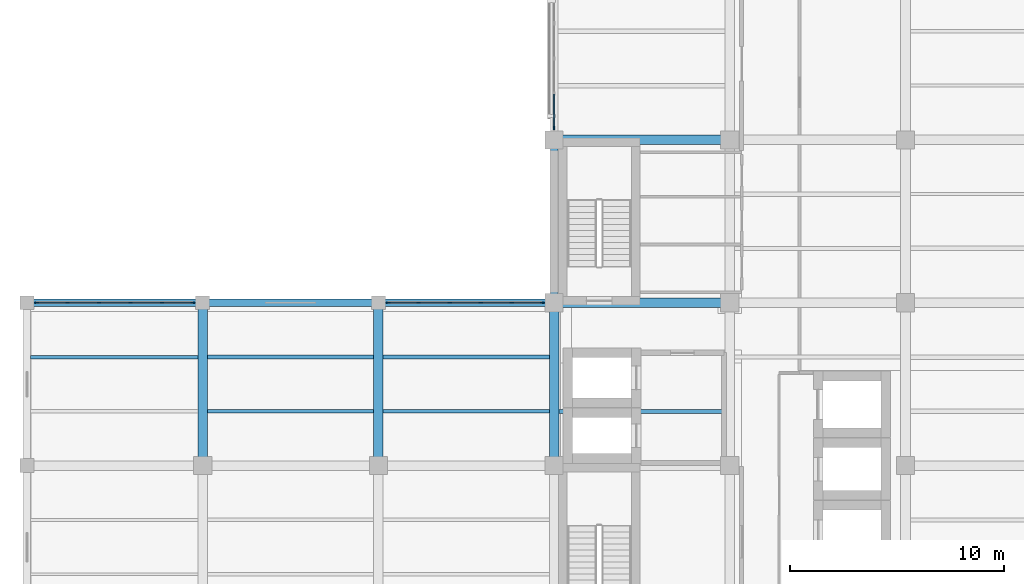
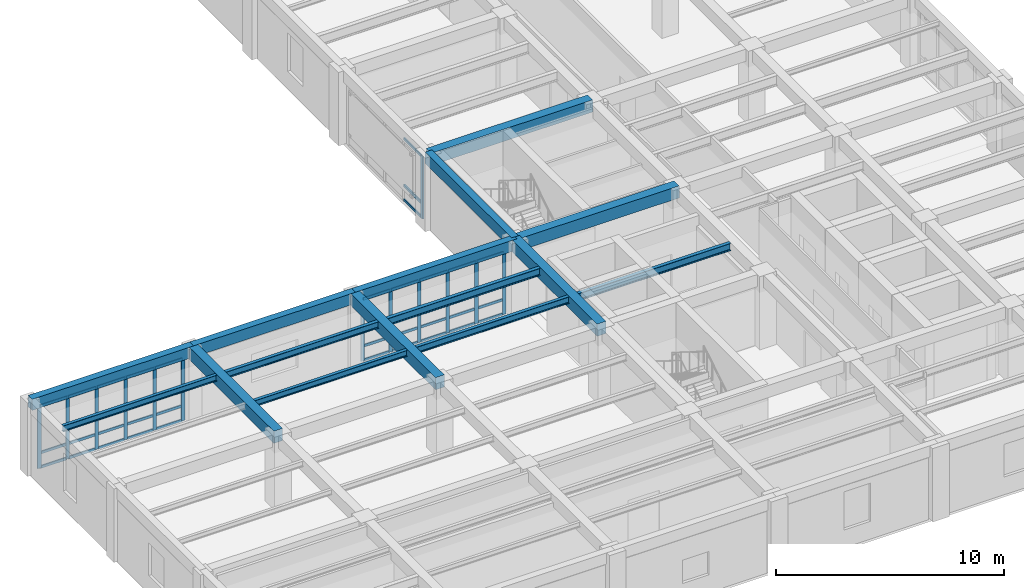
# One storey, part 2 of 17: 46 members, 15 beams, 3 elements without a shape of their own.
"""IFC4 building model written with IfcOpenShell, lengths in metres."""

from ifc_helpers import new_model, si_unit, direction, frame, origin, origin_2d, place, context, subcontext, project, spatial, rectangle, i_section, extrude, material, material_profile, profile_set, type_object, element, aggregate, save


model = new_model("IFC4")

# Units and contexts
model_context = context("Model", 3, precision=1e-05, world=origin(), true_north=direction((0.0, 1.0)))
body_context = subcontext(model_context, "Body", "Model", "MODEL_VIEW")
ifc_project = project(units=[si_unit("LENGTHUNIT", "METRE"), si_unit("AREAUNIT", "SQUARE_METRE"), si_unit("VOLUMEUNIT", "CUBIC_METRE"), si_unit("PLANEANGLEUNIT", "RADIAN"), si_unit("MASSUNIT", "GRAM", prefix="KILO")], contexts=[model_context])

# Site, building, storey
site_placement = place(None, origin())
site = spatial("IfcSite", under=ifc_project, at=site_placement, CompositionType="ELEMENT")
building_placement = place(site_placement, origin())
building = spatial("IfcBuilding", under=site, at=building_placement, Name="Qandaris Square Conservatory and Botanical Centre", CompositionType="ELEMENT")
storey_placement = place(building_placement, frame((0.0, 0.0, 28.199951171875)))
storey = spatial("IfcBuildingStorey", under=building, at=storey_placement, Name="L06", CompositionType="ELEMENT", Elevation=28.199951171875)

# Beams
ifc_material_1 = material(Name="Steel S355", Category="steel")
ifc_material_profile_1 = material_profile(ifc_material_1, i_section(OverallWidth=0.159912109375, OverallDepth=0.330078125, WebThickness=0.007568359375, FlangeThickness=0.011474609375, FilletRadius=0.01806640625, at=origin_2d()), Name="IPE 330")
ifc_profile_set_1 = profile_set([ifc_material_profile_1], Name="Steel S355")
beam_type_1 = type_object("IfcBeamType", Name="Composite Lab Joist IPE 330", PredefinedType="JOIST", material=ifc_profile_set_1)
beam_1_placement = place(storey_placement, frame((114.77490234375, 36.86669921875, 3.76513671875), z_axis=(1.0, 0.0, 0.0), x_axis=(0.0, 1.0, 0.0)))
element("IfcBeam", 1, at=beam_1_placement, inside=storey, type_object=beam_type_1, Name="L06 Composite Joist 2039", PredefinedType="JOIST", context=body_context, shape_type="SweptSolid", body=[
    extrude(i_section(OverallWidth=0.159912109375, OverallDepth=0.330078125, WebThickness=0.007568359375, FlangeThickness=0.011474609375, FilletRadius=0.01806640625, at=origin_2d()), origin(), (0.0, 0.0, 1.0), 7.800048828125),
])
beam_2_placement = place(storey_placement, frame((123.02490234375, 34.333251953125, 3.76513671875), z_axis=(1.0, 0.0, 0.0), x_axis=(0.0, 1.0, 0.0)))
element("IfcBeam", 2, at=beam_2_placement, inside=storey, type_object=beam_type_1, Name="L06 Composite Joist 2044", PredefinedType="JOIST", context=body_context, shape_type="SweptSolid", body=[
    extrude(i_section(OverallWidth=0.159912109375, OverallDepth=0.330078125, WebThickness=0.007568359375, FlangeThickness=0.011474609375, FilletRadius=0.01806640625, at=origin_2d()), origin(), (0.0, 0.0, 1.0), 7.75),
])
ifc_material_profile_2 = material_profile(ifc_material_1, i_section(OverallWidth=0.169921875, OverallDepth=0.360107421875, WebThickness=0.008056640625, FlangeThickness=0.0126953125, FilletRadius=0.01806640625, at=origin_2d()), Name="IPE 360")
ifc_profile_set_2 = profile_set([ifc_material_profile_2], Name="Steel S355")
beam_type_2 = type_object("IfcBeamType", Name="Composite Lab Joist IPE 360", PredefinedType="JOIST", material=ifc_profile_set_2)
for number, where, z_axis, x_axis, name in (
    (3, (123.02490234375, 36.86669921875, 3.75), (1.0, 0.0, 0.0), (0.0, 1.0, 0.0), "L06 Composite Joist 2045"),
    (4, (131.22509765625, 34.333251953125, 3.75), (1.0, 0.0, 0.0), (0.0, 1.0, 0.0), "L06 Composite Joist 2050"),
):
    element("IfcBeam", number, at=place(storey_placement, frame(where, z_axis=z_axis, x_axis=x_axis)), inside=storey, type_object=beam_type_2, Name=name, PredefinedType="JOIST", context=body_context, shape_type="SweptSolid", body=[
        extrude(i_section(OverallWidth=0.169921875, OverallDepth=0.360107421875, WebThickness=0.008056640625, FlangeThickness=0.0126953125, FilletRadius=0.01806640625, at=origin_2d()), origin(), (0.0, 0.0, 1.0), 7.75),
    ])
ifc_material_profile_3 = material_profile(ifc_material_1, i_section(OverallWidth=0.179931640625, OverallDepth=0.39990234375, WebThickness=0.008544921875, FlangeThickness=0.013427734375, FilletRadius=0.02099609375, at=origin_2d()), Name="IPE 400")
ifc_profile_set_3 = profile_set([ifc_material_profile_3], Name="Steel S355")
beam_type_3 = type_object("IfcBeamType", Name="Composite Plinth Joist IPE 400", PredefinedType="JOIST", material=ifc_profile_set_3)
for number, where, z_axis, x_axis, name in (
    (5, (131.22509765625, 36.86669921875, 3.72998046875), (1.0, 0.0, 0.0), (0.0, 1.0, 0.0), "L06 Composite Joist 2051"),
    (6, (139.425048828125, 34.333251953125, 3.72998046875), (1.0, 0.0, 0.0), (0.0, 1.0, 0.0), "L06 Composite Joist 2054"),
):
    element("IfcBeam", number, at=place(storey_placement, frame(where, z_axis=z_axis, x_axis=x_axis)), inside=storey, type_object=beam_type_3, Name=name, PredefinedType="JOIST", context=body_context, shape_type="SweptSolid", body=[
        extrude(i_section(OverallWidth=0.179931640625, OverallDepth=0.39990234375, WebThickness=0.008544921875, FlangeThickness=0.013427734375, FilletRadius=0.02099609375, at=origin_2d()), origin(), (0.0, 0.0, 1.0), 7.75),
    ])

# Curtain wall, member
ifc_material_2 = material(Name="Anodised Aluminium", Category="aluminium")
curtain_wall_type_1 = type_object("IfcCurtainWallType", Name="Unitised Curtain Wall CW-4-655x334", PredefinedType="USERDEFINED", material=ifc_material_2)
curtain_wall_1_placement = place(storey_placement, origin())
curtain_wall_1 = element("IfcCurtainWall", 7, at=curtain_wall_1_placement, inside=storey, type_object=curtain_wall_type_1, Name="Curtain Wall CW-TWR-L06-4-4", ObjectType="GLAZED CURTAIN WALL", PredefinedType="USERDEFINED")
ifc_material_profile_4 = material_profile(ifc_material_2, rectangle(XDim=0.06494140625, YDim=0.179931640625, at=origin_2d()), Name="ALU-MUL 65x180")
ifc_profile_set_4 = profile_set([ifc_material_profile_4], Name="Anodised Aluminium")
member_type_1 = type_object("IfcMemberType", Name="Curtain Wall Mullion 65x180", PredefinedType="MULLION", material=ifc_profile_set_4)
member_1_placement = place(storey_placement, frame((139.199951171875, 47.5576171875, 0.0), z_axis=(0.0, 0.0, 1.0), x_axis=(1.0, 0.0, 0.0)))
member_1 = element("IfcMember", 8, at=member_1_placement, type_object=member_type_1, Name="CW-4-655x334 mullion 5", PredefinedType="MULLION", context=body_context, shape_type="SweptSolid", body=[
    extrude(rectangle(XDim=0.06494140625, YDim=0.179931640625, at=origin_2d()), origin(), (0.0, 0.0, 1.0), 3.340087890625),
])

# Curtain wall, members
curtain_wall_type_2 = type_object("IfcCurtainWallType", Name="Unitised Curtain Wall CW-4-725x334", PredefinedType="USERDEFINED", material=ifc_material_2)
curtain_wall_2_placement = place(storey_placement, origin())
curtain_wall_2 = element("IfcCurtainWall", 9, at=curtain_wall_2_placement, inside=storey, type_object=curtain_wall_type_2, Name="Curtain Wall CW-TWR-L06-5-1", ObjectType="GLAZED CURTAIN WALL", PredefinedType="USERDEFINED")
member_2_placement = place(storey_placement, frame((138.642578125, 39.39990234375, 0.0), z_axis=(0.0, 0.0, 1.0), x_axis=(0.0, -1.0, 0.0)))
member_2 = element("IfcMember", 10, at=member_2_placement, type_object=member_type_1, Name="CW-4-725x334 mullion 1", PredefinedType="MULLION", context=body_context, shape_type="SweptSolid", body=[
    extrude(rectangle(XDim=0.06494140625, YDim=0.179931640625, at=origin_2d()), origin(), (0.0, 0.0, 1.0), 3.340087890625),
])
member_3_placement = place(storey_placement, frame((137.22509765625, 39.39990234375, 0.0), z_axis=(0.0, 0.0, 1.0), x_axis=(0.0, -1.0, 0.0)))
member_3 = element("IfcMember", 11, at=member_3_placement, type_object=member_type_1, Name="CW-4-725x334 mullion 2", PredefinedType="MULLION", context=body_context, shape_type="SweptSolid", body=[
    extrude(rectangle(XDim=0.06494140625, YDim=0.179931640625, at=origin_2d()), origin(), (0.0, 0.0, 1.0), 3.340087890625),
])
member_4_placement = place(storey_placement, frame((135.77490234375, 39.39990234375, 0.0), z_axis=(0.0, 0.0, 1.0), x_axis=(0.0, -1.0, 0.0)))
member_4 = element("IfcMember", 12, at=member_4_placement, type_object=member_type_1, Name="CW-4-725x334 mullion 3", PredefinedType="MULLION", context=body_context, shape_type="SweptSolid", body=[
    extrude(rectangle(XDim=0.06494140625, YDim=0.179931640625, at=origin_2d()), origin(), (0.0, 0.0, 1.0), 3.340087890625),
])
member_5_placement = place(storey_placement, frame((134.324951171875, 39.39990234375, 0.0), z_axis=(0.0, 0.0, 1.0), x_axis=(0.0, -1.0, 0.0)))
member_5 = element("IfcMember", 13, at=member_5_placement, type_object=member_type_1, Name="CW-4-725x334 mullion 4", PredefinedType="MULLION", context=body_context, shape_type="SweptSolid", body=[
    extrude(rectangle(XDim=0.06494140625, YDim=0.179931640625, at=origin_2d()), origin(), (0.0, 0.0, 1.0), 3.340087890625),
])
member_6_placement = place(storey_placement, frame((132.875, 39.39990234375, 0.0), z_axis=(0.0, 0.0, 1.0), x_axis=(0.0, -1.0, 0.0)))
member_6 = element("IfcMember", 14, at=member_6_placement, type_object=member_type_1, Name="CW-4-725x334 mullion 5", PredefinedType="MULLION", context=body_context, shape_type="SweptSolid", body=[
    extrude(rectangle(XDim=0.06494140625, YDim=0.179931640625, at=origin_2d()), origin(), (0.0, 0.0, 1.0), 3.340087890625),
])
member_7_placement = place(storey_placement, frame((131.45751953125, 39.39990234375, 0.0), z_axis=(0.0, 0.0, 1.0), x_axis=(0.0, -1.0, 0.0)))
member_7 = element("IfcMember", 15, at=member_7_placement, type_object=member_type_1, Name="CW-4-725x334 mullion 6", PredefinedType="MULLION", context=body_context, shape_type="SweptSolid", body=[
    extrude(rectangle(XDim=0.06494140625, YDim=0.179931640625, at=origin_2d()), origin(), (0.0, 0.0, 1.0), 3.340087890625),
])

curtain_wall_type_3 = type_object("IfcCurtainWallType", Name="Unitised Curtain Wall CW-4-735x334", PredefinedType="USERDEFINED", material=ifc_material_2)
curtain_wall_3_placement = place(storey_placement, origin())
curtain_wall_3 = element("IfcCurtainWall", 16, at=curtain_wall_3_placement, inside=storey, type_object=curtain_wall_type_3, Name="Curtain Wall CW-TWR-L06-5-3", ObjectType="GLAZED CURTAIN WALL", PredefinedType="USERDEFINED")
member_8_placement = place(storey_placement, frame((122.342529296875, 39.39990234375, 0.0), z_axis=(0.0, 0.0, 1.0), x_axis=(0.0, -1.0, 0.0)))
member_8 = element("IfcMember", 17, at=member_8_placement, type_object=member_type_1, Name="CW-4-735x334 mullion 1", PredefinedType="MULLION", context=body_context, shape_type="SweptSolid", body=[
    extrude(rectangle(XDim=0.06494140625, YDim=0.179931640625, at=origin_2d()), origin(), (0.0, 0.0, 1.0), 3.340087890625),
])
member_9_placement = place(storey_placement, frame((120.905029296875, 39.39990234375, 0.0), z_axis=(0.0, 0.0, 1.0), x_axis=(0.0, -1.0, 0.0)))
member_9 = element("IfcMember", 18, at=member_9_placement, type_object=member_type_1, Name="CW-4-735x334 mullion 2", PredefinedType="MULLION", context=body_context, shape_type="SweptSolid", body=[
    extrude(rectangle(XDim=0.06494140625, YDim=0.179931640625, at=origin_2d()), origin(), (0.0, 0.0, 1.0), 3.340087890625),
])
member_10_placement = place(storey_placement, frame((119.43505859375, 39.39990234375, 0.0), z_axis=(0.0, 0.0, 1.0), x_axis=(0.0, -1.0, 0.0)))
member_10 = element("IfcMember", 19, at=member_10_placement, type_object=member_type_1, Name="CW-4-735x334 mullion 3", PredefinedType="MULLION", context=body_context, shape_type="SweptSolid", body=[
    extrude(rectangle(XDim=0.06494140625, YDim=0.179931640625, at=origin_2d()), origin(), (0.0, 0.0, 1.0), 3.340087890625),
])
member_11_placement = place(storey_placement, frame((117.965087890625, 39.39990234375, 0.0), z_axis=(0.0, 0.0, 1.0), x_axis=(0.0, -1.0, 0.0)))
member_11 = element("IfcMember", 20, at=member_11_placement, type_object=member_type_1, Name="CW-4-735x334 mullion 4", PredefinedType="MULLION", context=body_context, shape_type="SweptSolid", body=[
    extrude(rectangle(XDim=0.06494140625, YDim=0.179931640625, at=origin_2d()), origin(), (0.0, 0.0, 1.0), 3.340087890625),
])
member_12_placement = place(storey_placement, frame((116.4951171875, 39.39990234375, 0.0), z_axis=(0.0, 0.0, 1.0), x_axis=(0.0, -1.0, 0.0)))
member_12 = element("IfcMember", 21, at=member_12_placement, type_object=member_type_1, Name="CW-4-735x334 mullion 5", PredefinedType="MULLION", context=body_context, shape_type="SweptSolid", body=[
    extrude(rectangle(XDim=0.06494140625, YDim=0.179931640625, at=origin_2d()), origin(), (0.0, 0.0, 1.0), 3.340087890625),
])
member_13_placement = place(storey_placement, frame((115.0576171875, 39.39990234375, 0.0), z_axis=(0.0, 0.0, 1.0), x_axis=(0.0, -1.0, 0.0)))
member_13 = element("IfcMember", 22, at=member_13_placement, type_object=member_type_1, Name="CW-4-735x334 mullion 6", PredefinedType="MULLION", context=body_context, shape_type="SweptSolid", body=[
    extrude(rectangle(XDim=0.06494140625, YDim=0.179931640625, at=origin_2d()), origin(), (0.0, 0.0, 1.0), 3.340087890625),
])

# Member
ifc_material_profile_5 = material_profile(ifc_material_2, rectangle(XDim=0.06494140625, YDim=0.139892578125, at=origin_2d()), Name="ALU-TRN 65x140")
ifc_profile_set_5 = profile_set([ifc_material_profile_5], Name="Anodised Aluminium")
member_type_2 = type_object("IfcMemberType", Name="Curtain Wall Transom 65x140", PredefinedType="USERDEFINED", material=ifc_profile_set_5)
member_14_placement = place(storey_placement, frame((139.199951171875, 49.1298828125, 0.032470703125), z_axis=(0.0, -1.0, 0.0), x_axis=(1.0, 0.0, 0.0)))
member_14 = element("IfcMember", 23, at=member_14_placement, type_object=member_type_2, Name="CW-4-655x334 transom 4.1", ObjectType="TRANSOM", PredefinedType="USERDEFINED", context=body_context, shape_type="SweptSolid", body=[
    extrude(rectangle(XDim=0.06494140625, YDim=0.139892578125, at=origin_2d()), origin(), (0.0, 0.0, 1.0), 1.539794921875),
])

member_15_placement = place(storey_placement, frame((139.199951171875, 49.1298828125, 0.8017578125), z_axis=(0.0, -1.0, 0.0), x_axis=(1.0, 0.0, 0.0)))
member_15 = element("IfcMember", 24, at=member_15_placement, type_object=member_type_2, Name="CW-4-655x334 transom 4.2", ObjectType="TRANSOM", PredefinedType="USERDEFINED", context=body_context, shape_type="SweptSolid", body=[
    extrude(rectangle(XDim=0.06494140625, YDim=0.139892578125, at=origin_2d()), origin(), (0.0, 0.0, 1.0), 1.539794921875),
])

member_16_placement = place(storey_placement, frame((139.199951171875, 49.1298828125, 3.3076171875), z_axis=(0.0, -1.0, 0.0), x_axis=(1.0, 0.0, 0.0)))
member_16 = element("IfcMember", 25, at=member_16_placement, type_object=member_type_2, Name="CW-4-655x334 transom 4.3", ObjectType="TRANSOM", PredefinedType="USERDEFINED", context=body_context, shape_type="SweptSolid", body=[
    extrude(rectangle(XDim=0.06494140625, YDim=0.139892578125, at=origin_2d()), origin(), (0.0, 0.0, 1.0), 1.539794921875),
])

aggregate(curtain_wall_1, [member_1, member_14, member_15, member_16])

member_17_placement = place(storey_placement, frame((138.610107421875, 39.39990234375, 0.032470703125), z_axis=(-1.0, 0.0, 0.0), x_axis=(0.0, -1.0, 0.0)))
member_17 = element("IfcMember", 26, at=member_17_placement, type_object=member_type_2, Name="CW-4-725x334 transom 1.1", ObjectType="TRANSOM", PredefinedType="USERDEFINED", context=body_context, shape_type="SweptSolid", body=[
    extrude(rectangle(XDim=0.06494140625, YDim=0.139892578125, at=origin_2d()), origin(), (0.0, 0.0, 1.0), 1.3525390625),
])

member_18_placement = place(storey_placement, frame((138.610107421875, 39.39990234375, 0.8017578125), z_axis=(-1.0, 0.0, 0.0), x_axis=(0.0, -1.0, 0.0)))
member_18 = element("IfcMember", 27, at=member_18_placement, type_object=member_type_2, Name="CW-4-725x334 transom 1.2", ObjectType="TRANSOM", PredefinedType="USERDEFINED", context=body_context, shape_type="SweptSolid", body=[
    extrude(rectangle(XDim=0.06494140625, YDim=0.139892578125, at=origin_2d()), origin(), (0.0, 0.0, 1.0), 1.3525390625),
])

member_19_placement = place(storey_placement, frame((138.610107421875, 39.39990234375, 3.3076171875), z_axis=(-1.0, 0.0, 0.0), x_axis=(0.0, -1.0, 0.0)))
member_19 = element("IfcMember", 28, at=member_19_placement, type_object=member_type_2, Name="CW-4-725x334 transom 1.3", ObjectType="TRANSOM", PredefinedType="USERDEFINED", context=body_context, shape_type="SweptSolid", body=[
    extrude(rectangle(XDim=0.06494140625, YDim=0.139892578125, at=origin_2d()), origin(), (0.0, 0.0, 1.0), 1.3525390625),
])

member_20_placement = place(storey_placement, frame((137.1923828125, 39.39990234375, 0.032470703125), z_axis=(-1.0, 0.0, 0.0), x_axis=(0.0, -1.0, 0.0)))
member_20 = element("IfcMember", 29, at=member_20_placement, type_object=member_type_2, Name="CW-4-725x334 transom 2.1", ObjectType="TRANSOM", PredefinedType="USERDEFINED", context=body_context, shape_type="SweptSolid", body=[
    extrude(rectangle(XDim=0.06494140625, YDim=0.139892578125, at=origin_2d()), origin(), (0.0, 0.0, 1.0), 1.384765625),
])

member_21_placement = place(storey_placement, frame((137.1923828125, 39.39990234375, 0.8017578125), z_axis=(-1.0, 0.0, 0.0), x_axis=(0.0, -1.0, 0.0)))
member_21 = element("IfcMember", 30, at=member_21_placement, type_object=member_type_2, Name="CW-4-725x334 transom 2.2", ObjectType="TRANSOM", PredefinedType="USERDEFINED", context=body_context, shape_type="SweptSolid", body=[
    extrude(rectangle(XDim=0.06494140625, YDim=0.139892578125, at=origin_2d()), origin(), (0.0, 0.0, 1.0), 1.384765625),
])

member_22_placement = place(storey_placement, frame((137.1923828125, 39.39990234375, 3.3076171875), z_axis=(-1.0, 0.0, 0.0), x_axis=(0.0, -1.0, 0.0)))
member_22 = element("IfcMember", 31, at=member_22_placement, type_object=member_type_2, Name="CW-4-725x334 transom 2.3", ObjectType="TRANSOM", PredefinedType="USERDEFINED", context=body_context, shape_type="SweptSolid", body=[
    extrude(rectangle(XDim=0.06494140625, YDim=0.139892578125, at=origin_2d()), origin(), (0.0, 0.0, 1.0), 1.384765625),
])

member_23_placement = place(storey_placement, frame((135.742431640625, 39.39990234375, 0.032470703125), z_axis=(-1.0, 0.0, 0.0), x_axis=(0.0, -1.0, 0.0)))
member_23 = element("IfcMember", 32, at=member_23_placement, type_object=member_type_2, Name="CW-4-725x334 transom 3.1", ObjectType="TRANSOM", PredefinedType="USERDEFINED", context=body_context, shape_type="SweptSolid", body=[
    extrude(rectangle(XDim=0.06494140625, YDim=0.139892578125, at=origin_2d()), origin(), (0.0, 0.0, 1.0), 1.385009765625),
])

member_24_placement = place(storey_placement, frame((135.742431640625, 39.39990234375, 0.8017578125), z_axis=(-1.0, 0.0, 0.0), x_axis=(0.0, -1.0, 0.0)))
member_24 = element("IfcMember", 33, at=member_24_placement, type_object=member_type_2, Name="CW-4-725x334 transom 3.2", ObjectType="TRANSOM", PredefinedType="USERDEFINED", context=body_context, shape_type="SweptSolid", body=[
    extrude(rectangle(XDim=0.06494140625, YDim=0.139892578125, at=origin_2d()), origin(), (0.0, 0.0, 1.0), 1.385009765625),
])

member_25_placement = place(storey_placement, frame((135.742431640625, 39.39990234375, 3.3076171875), z_axis=(-1.0, 0.0, 0.0), x_axis=(0.0, -1.0, 0.0)))
member_25 = element("IfcMember", 34, at=member_25_placement, type_object=member_type_2, Name="CW-4-725x334 transom 3.3", ObjectType="TRANSOM", PredefinedType="USERDEFINED", context=body_context, shape_type="SweptSolid", body=[
    extrude(rectangle(XDim=0.06494140625, YDim=0.139892578125, at=origin_2d()), origin(), (0.0, 0.0, 1.0), 1.385009765625),
])

member_26_placement = place(storey_placement, frame((134.29248046875, 39.39990234375, 0.032470703125), z_axis=(-1.0, 0.0, 0.0), x_axis=(0.0, -1.0, 0.0)))
member_26 = element("IfcMember", 35, at=member_26_placement, type_object=member_type_2, Name="CW-4-725x334 transom 4.1", ObjectType="TRANSOM", PredefinedType="USERDEFINED", context=body_context, shape_type="SweptSolid", body=[
    extrude(rectangle(XDim=0.06494140625, YDim=0.139892578125, at=origin_2d()), origin(), (0.0, 0.0, 1.0), 1.385009765625),
])

member_27_placement = place(storey_placement, frame((134.29248046875, 39.39990234375, 0.8017578125), z_axis=(-1.0, 0.0, 0.0), x_axis=(0.0, -1.0, 0.0)))
member_27 = element("IfcMember", 36, at=member_27_placement, type_object=member_type_2, Name="CW-4-725x334 transom 4.2", ObjectType="TRANSOM", PredefinedType="USERDEFINED", context=body_context, shape_type="SweptSolid", body=[
    extrude(rectangle(XDim=0.06494140625, YDim=0.139892578125, at=origin_2d()), origin(), (0.0, 0.0, 1.0), 1.385009765625),
])

member_28_placement = place(storey_placement, frame((134.29248046875, 39.39990234375, 3.3076171875), z_axis=(-1.0, 0.0, 0.0), x_axis=(0.0, -1.0, 0.0)))
member_28 = element("IfcMember", 37, at=member_28_placement, type_object=member_type_2, Name="CW-4-725x334 transom 4.3", ObjectType="TRANSOM", PredefinedType="USERDEFINED", context=body_context, shape_type="SweptSolid", body=[
    extrude(rectangle(XDim=0.06494140625, YDim=0.139892578125, at=origin_2d()), origin(), (0.0, 0.0, 1.0), 1.385009765625),
])

member_29_placement = place(storey_placement, frame((132.842529296875, 39.39990234375, 0.032470703125), z_axis=(-1.0, 0.0, 0.0), x_axis=(0.0, -1.0, 0.0)))
member_29 = element("IfcMember", 38, at=member_29_placement, type_object=member_type_2, Name="CW-4-725x334 transom 5.1", ObjectType="TRANSOM", PredefinedType="USERDEFINED", context=body_context, shape_type="SweptSolid", body=[
    extrude(rectangle(XDim=0.06494140625, YDim=0.139892578125, at=origin_2d()), origin(), (0.0, 0.0, 1.0), 1.3525390625),
])

member_30_placement = place(storey_placement, frame((132.842529296875, 39.39990234375, 0.8017578125), z_axis=(-1.0, 0.0, 0.0), x_axis=(0.0, -1.0, 0.0)))
member_30 = element("IfcMember", 39, at=member_30_placement, type_object=member_type_2, Name="CW-4-725x334 transom 5.2", ObjectType="TRANSOM", PredefinedType="USERDEFINED", context=body_context, shape_type="SweptSolid", body=[
    extrude(rectangle(XDim=0.06494140625, YDim=0.139892578125, at=origin_2d()), origin(), (0.0, 0.0, 1.0), 1.3525390625),
])

member_31_placement = place(storey_placement, frame((132.842529296875, 39.39990234375, 3.3076171875), z_axis=(-1.0, 0.0, 0.0), x_axis=(0.0, -1.0, 0.0)))
member_31 = element("IfcMember", 40, at=member_31_placement, type_object=member_type_2, Name="CW-4-725x334 transom 5.3", ObjectType="TRANSOM", PredefinedType="USERDEFINED", context=body_context, shape_type="SweptSolid", body=[
    extrude(rectangle(XDim=0.06494140625, YDim=0.139892578125, at=origin_2d()), origin(), (0.0, 0.0, 1.0), 1.3525390625),
])

aggregate(curtain_wall_2, [member_2, member_3, member_4, member_5, member_6, member_7, member_17, member_18, member_19, member_20, member_21, member_22, member_23, member_24, member_25, member_26, member_27, member_28, member_29, member_30, member_31])

member_32_placement = place(storey_placement, frame((122.31005859375, 39.39990234375, 0.032470703125), z_axis=(-1.0, 0.0, 0.0), x_axis=(0.0, -1.0, 0.0)))
member_32 = element("IfcMember", 41, at=member_32_placement, type_object=member_type_2, Name="CW-4-735x334 transom 1.1", ObjectType="TRANSOM", PredefinedType="USERDEFINED", context=body_context, shape_type="SweptSolid", body=[
    extrude(rectangle(XDim=0.06494140625, YDim=0.139892578125, at=origin_2d()), origin(), (0.0, 0.0, 1.0), 1.37255859375),
])

member_33_placement = place(storey_placement, frame((122.31005859375, 39.39990234375, 0.8017578125), z_axis=(-1.0, 0.0, 0.0), x_axis=(0.0, -1.0, 0.0)))
member_33 = element("IfcMember", 42, at=member_33_placement, type_object=member_type_2, Name="CW-4-735x334 transom 1.2", ObjectType="TRANSOM", PredefinedType="USERDEFINED", context=body_context, shape_type="SweptSolid", body=[
    extrude(rectangle(XDim=0.06494140625, YDim=0.139892578125, at=origin_2d()), origin(), (0.0, 0.0, 1.0), 1.37255859375),
])

member_34_placement = place(storey_placement, frame((122.31005859375, 39.39990234375, 3.3076171875), z_axis=(-1.0, 0.0, 0.0), x_axis=(0.0, -1.0, 0.0)))
member_34 = element("IfcMember", 43, at=member_34_placement, type_object=member_type_2, Name="CW-4-735x334 transom 1.3", ObjectType="TRANSOM", PredefinedType="USERDEFINED", context=body_context, shape_type="SweptSolid", body=[
    extrude(rectangle(XDim=0.06494140625, YDim=0.139892578125, at=origin_2d()), origin(), (0.0, 0.0, 1.0), 1.37255859375),
])

member_35_placement = place(storey_placement, frame((120.87255859375, 39.39990234375, 0.032470703125), z_axis=(-1.0, 0.0, 0.0), x_axis=(0.0, -1.0, 0.0)))
member_35 = element("IfcMember", 44, at=member_35_placement, type_object=member_type_2, Name="CW-4-735x334 transom 2.1", ObjectType="TRANSOM", PredefinedType="USERDEFINED", context=body_context, shape_type="SweptSolid", body=[
    extrude(rectangle(XDim=0.06494140625, YDim=0.139892578125, at=origin_2d()), origin(), (0.0, 0.0, 1.0), 1.405029296875),
])

member_36_placement = place(storey_placement, frame((120.87255859375, 39.39990234375, 0.8017578125), z_axis=(-1.0, 0.0, 0.0), x_axis=(0.0, -1.0, 0.0)))
member_36 = element("IfcMember", 45, at=member_36_placement, type_object=member_type_2, Name="CW-4-735x334 transom 2.2", ObjectType="TRANSOM", PredefinedType="USERDEFINED", context=body_context, shape_type="SweptSolid", body=[
    extrude(rectangle(XDim=0.06494140625, YDim=0.139892578125, at=origin_2d()), origin(), (0.0, 0.0, 1.0), 1.405029296875),
])

member_37_placement = place(storey_placement, frame((120.87255859375, 39.39990234375, 3.3076171875), z_axis=(-1.0, 0.0, 0.0), x_axis=(0.0, -1.0, 0.0)))
member_37 = element("IfcMember", 46, at=member_37_placement, type_object=member_type_2, Name="CW-4-735x334 transom 2.3", ObjectType="TRANSOM", PredefinedType="USERDEFINED", context=body_context, shape_type="SweptSolid", body=[
    extrude(rectangle(XDim=0.06494140625, YDim=0.139892578125, at=origin_2d()), origin(), (0.0, 0.0, 1.0), 1.405029296875),
])

member_38_placement = place(storey_placement, frame((119.402587890625, 39.39990234375, 0.032470703125), z_axis=(-1.0, 0.0, 0.0), x_axis=(0.0, -1.0, 0.0)))
member_38 = element("IfcMember", 47, at=member_38_placement, type_object=member_type_2, Name="CW-4-735x334 transom 3.1", ObjectType="TRANSOM", PredefinedType="USERDEFINED", context=body_context, shape_type="SweptSolid", body=[
    extrude(rectangle(XDim=0.06494140625, YDim=0.139892578125, at=origin_2d()), origin(), (0.0, 0.0, 1.0), 1.405029296875),
])

member_39_placement = place(storey_placement, frame((119.402587890625, 39.39990234375, 0.8017578125), z_axis=(-1.0, 0.0, 0.0), x_axis=(0.0, -1.0, 0.0)))
member_39 = element("IfcMember", 48, at=member_39_placement, type_object=member_type_2, Name="CW-4-735x334 transom 3.2", ObjectType="TRANSOM", PredefinedType="USERDEFINED", context=body_context, shape_type="SweptSolid", body=[
    extrude(rectangle(XDim=0.06494140625, YDim=0.139892578125, at=origin_2d()), origin(), (0.0, 0.0, 1.0), 1.405029296875),
])

member_40_placement = place(storey_placement, frame((119.402587890625, 39.39990234375, 3.3076171875), z_axis=(-1.0, 0.0, 0.0), x_axis=(0.0, -1.0, 0.0)))
member_40 = element("IfcMember", 49, at=member_40_placement, type_object=member_type_2, Name="CW-4-735x334 transom 3.3", ObjectType="TRANSOM", PredefinedType="USERDEFINED", context=body_context, shape_type="SweptSolid", body=[
    extrude(rectangle(XDim=0.06494140625, YDim=0.139892578125, at=origin_2d()), origin(), (0.0, 0.0, 1.0), 1.405029296875),
])

member_41_placement = place(storey_placement, frame((117.9326171875, 39.39990234375, 0.032470703125), z_axis=(-1.0, 0.0, 0.0), x_axis=(0.0, -1.0, 0.0)))
member_41 = element("IfcMember", 50, at=member_41_placement, type_object=member_type_2, Name="CW-4-735x334 transom 4.1", ObjectType="TRANSOM", PredefinedType="USERDEFINED", context=body_context, shape_type="SweptSolid", body=[
    extrude(rectangle(XDim=0.06494140625, YDim=0.139892578125, at=origin_2d()), origin(), (0.0, 0.0, 1.0), 1.405029296875),
])

member_42_placement = place(storey_placement, frame((117.9326171875, 39.39990234375, 0.8017578125), z_axis=(-1.0, 0.0, 0.0), x_axis=(0.0, -1.0, 0.0)))
member_42 = element("IfcMember", 51, at=member_42_placement, type_object=member_type_2, Name="CW-4-735x334 transom 4.2", ObjectType="TRANSOM", PredefinedType="USERDEFINED", context=body_context, shape_type="SweptSolid", body=[
    extrude(rectangle(XDim=0.06494140625, YDim=0.139892578125, at=origin_2d()), origin(), (0.0, 0.0, 1.0), 1.405029296875),
])

member_43_placement = place(storey_placement, frame((117.9326171875, 39.39990234375, 3.3076171875), z_axis=(-1.0, 0.0, 0.0), x_axis=(0.0, -1.0, 0.0)))
member_43 = element("IfcMember", 52, at=member_43_placement, type_object=member_type_2, Name="CW-4-735x334 transom 4.3", ObjectType="TRANSOM", PredefinedType="USERDEFINED", context=body_context, shape_type="SweptSolid", body=[
    extrude(rectangle(XDim=0.06494140625, YDim=0.139892578125, at=origin_2d()), origin(), (0.0, 0.0, 1.0), 1.405029296875),
])

member_44_placement = place(storey_placement, frame((116.46240234375, 39.39990234375, 0.032470703125), z_axis=(-1.0, 0.0, 0.0), x_axis=(0.0, -1.0, 0.0)))
member_44 = element("IfcMember", 53, at=member_44_placement, type_object=member_type_2, Name="CW-4-735x334 transom 5.1", ObjectType="TRANSOM", PredefinedType="USERDEFINED", context=body_context, shape_type="SweptSolid", body=[
    extrude(rectangle(XDim=0.06494140625, YDim=0.139892578125, at=origin_2d()), origin(), (0.0, 0.0, 1.0), 1.372314453125),
])

member_45_placement = place(storey_placement, frame((116.46240234375, 39.39990234375, 0.8017578125), z_axis=(-1.0, 0.0, 0.0), x_axis=(0.0, -1.0, 0.0)))
member_45 = element("IfcMember", 54, at=member_45_placement, type_object=member_type_2, Name="CW-4-735x334 transom 5.2", ObjectType="TRANSOM", PredefinedType="USERDEFINED", context=body_context, shape_type="SweptSolid", body=[
    extrude(rectangle(XDim=0.06494140625, YDim=0.139892578125, at=origin_2d()), origin(), (0.0, 0.0, 1.0), 1.372314453125),
])

member_46_placement = place(storey_placement, frame((116.46240234375, 39.39990234375, 3.3076171875), z_axis=(-1.0, 0.0, 0.0), x_axis=(0.0, -1.0, 0.0)))
member_46 = element("IfcMember", 55, at=member_46_placement, type_object=member_type_2, Name="CW-4-735x334 transom 5.3", ObjectType="TRANSOM", PredefinedType="USERDEFINED", context=body_context, shape_type="SweptSolid", body=[
    extrude(rectangle(XDim=0.06494140625, YDim=0.139892578125, at=origin_2d()), origin(), (0.0, 0.0, 1.0), 1.372314453125),
])

aggregate(curtain_wall_3, [member_8, member_9, member_10, member_11, member_12, member_13, member_32, member_33, member_34, member_35, member_36, member_37, member_38, member_39, member_40, member_41, member_42, member_43, member_44, member_45, member_46])

# Beams
ifc_material_3 = material(Name="Concrete C50/60", Category="concrete")
ifc_material_profile_6 = material_profile(ifc_material_3, rectangle(XDim=0.35009765625, YDim=0.60009765625, at=origin_2d()), Name="RC-SP 350x600")
ifc_profile_set_6 = profile_set([ifc_material_profile_6], Name="Concrete C50/60")
beam_type_4 = type_object("IfcBeamType", Name="RC Edge Spandrel Beam 350x600", PredefinedType="SPANDREL", material=ifc_profile_set_6)
for number, where, z_axis, x_axis, name in (
    (56, (114.60009765625, 39.39990234375, 3.64013671875), (1.0, 0.0, 0.0), (0.0, 1.0, 0.0), "L06 Frame Beam 1974"),
    (57, (122.800048828125, 39.39990234375, 3.64013671875), (1.0, 0.0, 0.0), (0.0, 1.0, 0.0), "L06 Frame Beam 1975"),
    (58, (131.0, 39.39990234375, 3.64013671875), (1.0, 0.0, 0.0), (0.0, 1.0, 0.0), "L06 Frame Beam 1976"),
):
    element("IfcBeam", number, at=place(storey_placement, frame(where, z_axis=z_axis, x_axis=x_axis)), inside=storey, type_object=beam_type_4, Name=name, PredefinedType="SPANDREL", context=body_context, shape_type="SweptSolid", body=[
        extrude(rectangle(XDim=0.35009765625, YDim=0.60009765625, at=origin_2d()), origin(), (0.0, 0.0, 1.0), 8.199951171875),
    ])
beam_3_placement = place(storey_placement, frame((139.199951171875, 39.39990234375, 3.64013671875), z_axis=(0.0, 1.0, 0.0), x_axis=(-1.0, 0.0, 0.0)))
element("IfcBeam", 59, at=beam_3_placement, inside=storey, type_object=beam_type_4, Name="L06 Frame Beam 2005", PredefinedType="SPANDREL", context=body_context, shape_type="SweptSolid", body=[
    extrude(rectangle(XDim=0.35009765625, YDim=0.60009765625, at=origin_2d()), origin(), (0.0, 0.0, 1.0), 7.60009765625),
])
ifc_material_profile_7 = material_profile(ifc_material_3, rectangle(XDim=0.449951171875, YDim=0.64990234375, at=origin_2d()), Name="RC-BM 450x650")
ifc_profile_set_7 = profile_set([ifc_material_profile_7], Name="Concrete C50/60")
beam_type_5 = type_object("IfcBeamType", Name="RC Floor Girder 450x650", PredefinedType="BEAM", material=ifc_profile_set_7)
for number, where, z_axis, x_axis, name in (
    (60, (139.199951171875, 39.39990234375, 3.614990234375), (1.0, 0.0, 0.0), (0.0, 1.0, 0.0), "L06 Frame Beam 1977"),
    (61, (139.199951171875, 47.0, 3.614990234375), (1.0, 0.0, 0.0), (0.0, 1.0, 0.0), "L06 Frame Beam 1980"),
):
    element("IfcBeam", number, at=place(storey_placement, frame(where, z_axis=z_axis, x_axis=x_axis)), inside=storey, type_object=beam_type_5, Name=name, PredefinedType="BEAM", context=body_context, shape_type="SweptSolid", body=[
        extrude(rectangle(XDim=0.449951171875, YDim=0.64990234375, at=origin_2d()), origin(), (0.0, 0.0, 1.0), 8.199951171875),
    ])
for number, where, z_axis, x_axis, name in (
    (62, (122.800048828125, 31.800048828125, 3.614990234375), (0.0, 1.0, 0.0), (-1.0, 0.0, 0.0), "L06 Frame Beam 1998"),
    (63, (131.0, 31.800048828125, 3.614990234375), (0.0, 1.0, 0.0), (-1.0, 0.0, 0.0), "L06 Frame Beam 2001"),
    (64, (139.199951171875, 31.800048828125, 3.614990234375), (0.0, 1.0, 0.0), (-1.0, 0.0, 0.0), "L06 Frame Beam 2004"),
):
    element("IfcBeam", number, at=place(storey_placement, frame(where, z_axis=z_axis, x_axis=x_axis)), inside=storey, type_object=beam_type_5, Name=name, PredefinedType="BEAM", context=body_context, shape_type="SweptSolid", body=[
        extrude(rectangle(XDim=0.449951171875, YDim=0.64990234375, at=origin_2d()), origin(), (0.0, 0.0, 1.0), 7.599853515625),
    ])

save(model, "model.ifc")
